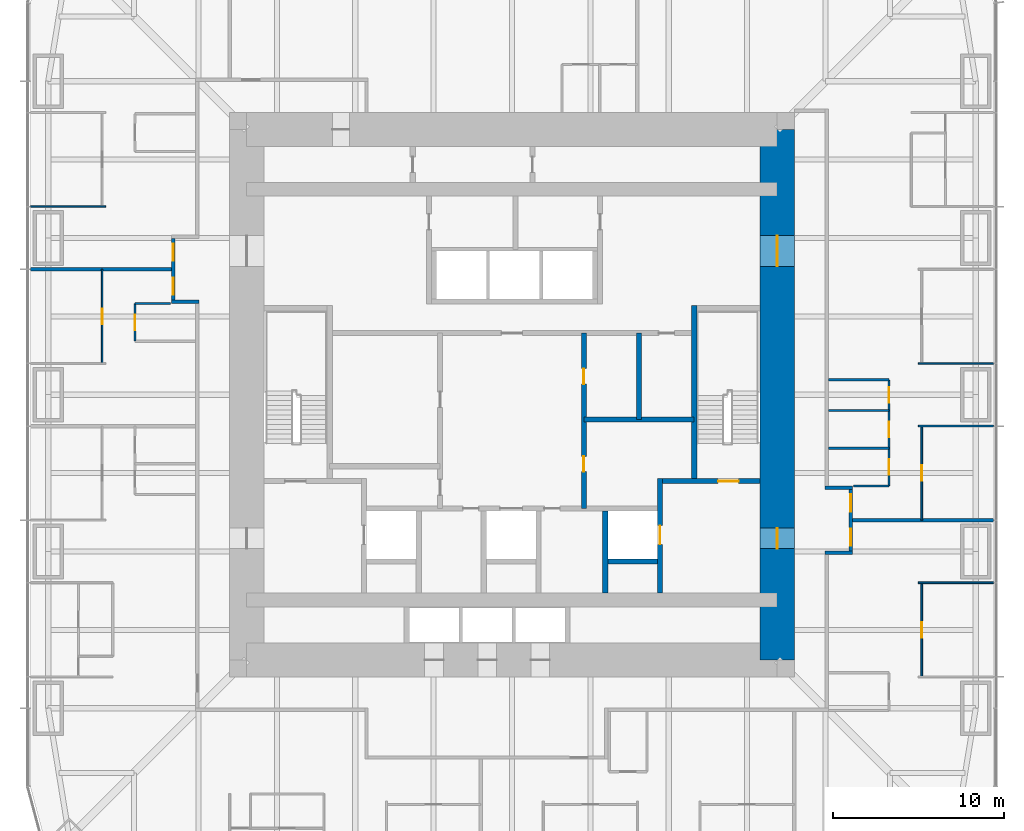
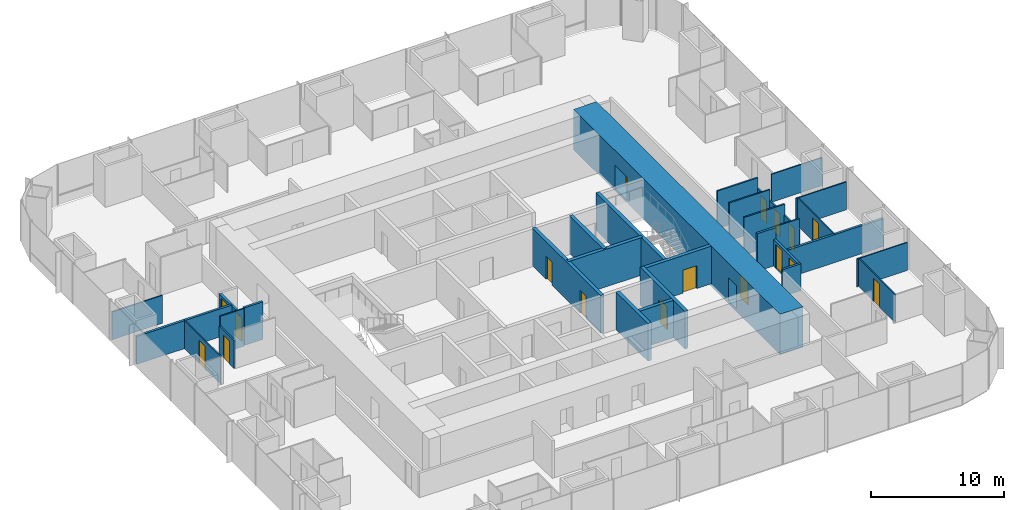
# One storey, part 9 of 12: 30 walls, 17 doors, 17 openings.
"""IFC4 building model written with IfcOpenShell, lengths in metres."""

import ifcopenshell
import ifcopenshell.guid

model = None  # the IFC model being written
_history = None  # IfcOwnerHistory: only IFC2X3 demands one
_inside = {}  # id of a spatial element -> (the spatial element, [elements in it])
_under = {}  # id of a project, library or spatial element -> (it, [spatial elements below it])
_declared = {}  # id of a project -> (the project, [libraries it declares])
_typed = {}  # id of a type object -> (the type object, [elements of that type])
_made_of = {}  # id of a material, layer set ... -> (it, [elements and type objects made of it])


def new_model(schema):
    """Start an empty IFC model of exactly this schema.

    Asked for "IFC4X3", IfcOpenShell would pick the latest addendum, in which some entities
    have other attributes; the version numbers below select the first issue.
    IFC2X3 requires an IfcOwnerHistory on every rooted entity: one is made here for all.
    """
    global model, _history
    if schema == "IFC4X3":
        model = ifcopenshell.file(schema_version=(4, 3, 0, 0))
    else:
        model = ifcopenshell.file(schema=schema)
    _inside.clear()
    _under.clear()
    _declared.clear()
    _typed.clear()
    _made_of.clear()
    _history = None
    if model.schema == "IFC2X3":
        org = make("IfcOrganization", Name="unknown")
        user = make(
            "IfcPersonAndOrganization",
            ThePerson=make("IfcPerson", FamilyName="unknown"),
            TheOrganization=org,
        )
        app = make(
            "IfcApplication",
            ApplicationDeveloper=org,
            Version="unknown",
            ApplicationFullName="unknown",
            ApplicationIdentifier="unknown",
        )
        _history = make(
            "IfcOwnerHistory",
            OwningUser=user,
            OwningApplication=app,
            ChangeAction="ADDED",
            CreationDate=0,
        )
    return model


def make(cls, **values):
    """One entity of the class cls with the attributes given. An attribute that is None is left unset."""
    return model.create_entity(
        cls, **{name: value for name, value in values.items() if value is not None}
    )


def rooted(cls, **values):
    """An entity with a GlobalId (a new one), such as an element, a storey or a relation."""
    return make(cls, GlobalId=ifcopenshell.guid.new(), OwnerHistory=_history, **values)


def si_unit(unit_type, name, prefix=None):
    """IfcSIUnit, for example si_unit("LENGTHUNIT", "METRE", prefix="MILLI")."""
    return make("IfcSIUnit", UnitType=unit_type, Prefix=prefix, Name=name)


def assignment(units):
    """IfcUnitAssignment: the units of a project."""
    return None if units is None else make("IfcUnitAssignment", Units=units)


def point(xyz):
    """IfcCartesianPoint."""
    return None if xyz is None else make("IfcCartesianPoint", Coordinates=xyz)


def direction(xyz):
    """IfcDirection."""
    return None if xyz is None else make("IfcDirection", DirectionRatios=xyz)


def frame(location, z_axis=None, x_axis=None):
    """IfcAxis2Placement3D, a coordinate frame: its origin and axes. An axis left out is left unset."""
    return make(
        "IfcAxis2Placement3D",
        Location=point(location),
        Axis=direction(z_axis),
        RefDirection=direction(x_axis),
    )


def frame_2d(location, x_axis=None):
    """IfcAxis2Placement2D, a coordinate frame in the plane: its origin and x axis."""
    return make(
        "IfcAxis2Placement2D", Location=point(location), RefDirection=direction(x_axis)
    )


def origin():
    """The frame at (0, 0, 0) with its axes left unset."""
    return frame((0.0, 0.0, 0.0))


def place(relative_to, where):
    """IfcLocalPlacement: puts the frame where relative to a parent placement (None: the world)."""
    return make(
        "IfcLocalPlacement", PlacementRelTo=relative_to, RelativePlacement=where
    )


def context(
    kind, dimensions, precision=None, world=None, true_north=None, identifier=None
):
    """IfcGeometricRepresentationContext, for example the 3D "Model" context."""
    return make(
        "IfcGeometricRepresentationContext",
        ContextIdentifier=identifier,
        ContextType=kind,
        CoordinateSpaceDimension=dimensions,
        Precision=precision,
        WorldCoordinateSystem=world,
        TrueNorth=true_north,
    )


def subcontext(parent, identifier, kind, view, scale=None):
    """IfcGeometricRepresentationSubContext, for example "Body" below "Model"."""
    return make(
        "IfcGeometricRepresentationSubContext",
        ContextIdentifier=identifier,
        ContextType=kind,
        ParentContext=parent,
        TargetScale=scale,
        TargetView=view,
    )


def project(units=None, contexts=None):
    """IfcProject with its units and contexts."""
    return rooted(
        "IfcProject",
        Name="project",
        RepresentationContexts=contexts,
        UnitsInContext=assignment(units),
    )


def spatial(cls, under=None, at=None, **own):
    """A site, building, storey or space (cls), placed at a placement, below another one or the project."""
    s = rooted(cls, ObjectPlacement=at, **own)
    if under is not None:
        _under.setdefault(under.id(), (under, []))[1].append(s)
    return s


def profile(cls, at=None, kind="AREA", **sizes):
    """A parametric profile (cls). Its sizes go by their IFC names, for example OverallWidth=200.0."""
    return make(cls, ProfileType=kind, Position=at, **sizes)


def rectangle(**sizes):
    """IfcRectangleProfileDef."""
    return profile("IfcRectangleProfileDef", **sizes)


def extrude(swept, where, along, depth):
    """IfcExtrudedAreaSolid: the profile swept, set in the frame where, extruded along a direction by depth."""
    return make(
        "IfcExtrudedAreaSolid",
        SweptArea=swept,
        Position=where,
        ExtrudedDirection=direction(along),
        Depth=depth,
    )


def shape(context_of_items, identifier, shape_type, items):
    """IfcShapeRepresentation: the items that make up one representation, for example the "Body"."""
    return make(
        "IfcShapeRepresentation",
        ContextOfItems=context_of_items,
        RepresentationIdentifier=identifier,
        RepresentationType=shape_type,
        Items=items,
    )


def material(Name=None, Category=None):
    """IfcMaterial."""
    return make("IfcMaterial", Name=Name, Category=Category)


def layer(
    of_material, thickness, ventilated=None, Name=None, Category=None, Priority=None
):
    """IfcMaterialLayer: one layer of a wall or slab, of a material (None: an air gap)."""
    return make(
        "IfcMaterialLayer",
        Material=of_material,
        LayerThickness=thickness,
        IsVentilated=ventilated,
        Name=Name,
        Category=Category,
        Priority=Priority,
    )


def layer_set(layers, Name=None):
    """IfcMaterialLayerSet."""
    return make("IfcMaterialLayerSet", MaterialLayers=layers, LayerSetName=Name)


def made_of(thing, what):
    """Note that an element or type object is made of a material, layer set ...; save() writes the relation."""
    if what is not None:
        _made_of.setdefault(what.id(), (what, []))[1].append(thing)
    return thing


def type_object(cls, material=None, **own):
    """A type object (cls), such as IfcWallType, which elements share."""
    return made_of(rooted(cls, **own), material)


def element(
    cls,
    number,
    at=None,
    inside=None,
    cuts=None,
    type_object=None,
    material=None,
    context=None,
    identifier="Body",
    shape_type=None,
    held_by="IfcProductDefinitionShape",
    body=None,
    shapes=None,
    **own,
):
    """One element of the class cls, such as IfcWall. Its Tag is "e" and its number.

    at: its placement. inside: the storey or other place that contains it. cuts: it is an
    opening in that element (IfcRelVoidsElement). A single representation is given by context,
    identifier, shape_type and body (its items); several are given by shapes. held_by: the class
    of the entity that holds the representations. save() writes the other relations.
    """
    e = rooted(cls, Tag="e%d" % number, ObjectPlacement=at, **own)
    if body is not None:
        shapes = [shape(context, identifier, shape_type, body)]
    if shapes is not None:
        e.Representation = make(held_by, Representations=shapes)
    if inside is not None:
        _inside.setdefault(inside.id(), (inside, []))[1].append(e)
    if cuts is not None:
        rooted(
            "IfcRelVoidsElement", RelatingBuildingElement=cuts, RelatedOpeningElement=e
        )
    if type_object is not None:
        _typed.setdefault(type_object.id(), (type_object, []))[1].append(e)
    return made_of(e, material)


def fill(opening, filler):
    """IfcRelFillsElement: the door or window that sits in an opening."""
    return rooted(
        "IfcRelFillsElement",
        RelatingOpeningElement=opening,
        RelatedBuildingElement=filler,
    )


def aggregate(whole, parts):
    """IfcRelAggregates: a whole, such as a stair, and the parts it consists of."""
    return rooted("IfcRelAggregates", RelatingObject=whole, RelatedObjects=parts)


def save(model, path):
    """Write the relations noted so far, then the file.

    IfcRelAggregates (storeys below a building ...), IfcRelContainedInSpatialStructure (elements
    in a storey), IfcRelDefinesByType, IfcRelAssociatesMaterial and IfcRelDeclares: one each for
    every whole, place, type object, material and project.
    """
    for whole, parts in _under.values():
        aggregate(whole, parts)
    for where, things in _inside.values():
        rooted(
            "IfcRelContainedInSpatialStructure",
            RelatedElements=things,
            RelatingStructure=where,
        )
    for kind, things in _typed.values():
        rooted("IfcRelDefinesByType", RelatedObjects=things, RelatingType=kind)
    for what, things in _made_of.values():
        rooted("IfcRelAssociatesMaterial", RelatedObjects=things, RelatingMaterial=what)
    for by, libraries in _declared.values():
        rooted("IfcRelDeclares", RelatingContext=by, RelatedDefinitions=libraries)
    model.write(path)


model = new_model("IFC4")

# Units and contexts
model_context = context("Model", 3, precision=1e-05, world=origin(), true_north=direction((0.0, 1.0)))
body_context = subcontext(model_context, "Body", "Model", "MODEL_VIEW")
ifc_project = project(units=[si_unit("LENGTHUNIT", "METRE"), si_unit("AREAUNIT", "SQUARE_METRE"), si_unit("VOLUMEUNIT", "CUBIC_METRE"), si_unit("PLANEANGLEUNIT", "RADIAN"), si_unit("MASSUNIT", "GRAM", prefix="KILO")], contexts=[model_context])

# Site, building, storey
site_placement = place(None, origin())
site = spatial("IfcSite", under=ifc_project, at=site_placement, CompositionType="ELEMENT")
building_placement = place(site_placement, origin())
building = spatial("IfcBuilding", under=site, at=building_placement, Name="Khuree Lantern Residences", CompositionType="ELEMENT")
storey_placement = place(building_placement, frame((0.0, 0.0, 182.25)))
storey = spatial("IfcBuildingStorey", under=building, at=storey_placement, Name="L46", CompositionType="ELEMENT", Elevation=182.25)

# Wall, openings, doors
ifc_material_1 = material(Name="Moisture-resistant gypsum board on steel studs", Category="steel")
ifc_layer_1 = layer(ifc_material_1, 0.125)
ifc_layer_set_1 = layer_set([ifc_layer_1], Name="BATHROOM WALL BTW125")
wall_type_1 = type_object("IfcWallType", Name="BATHROOM WALL BTW125", PredefinedType="PARTITIONING", material=ifc_layer_set_1)
wall_1_placement = place(storey_placement, frame((22.02978515625, -5.327880859375, 0.0), z_axis=(0.0, 0.0, 1.0), x_axis=(0.0, 1.0, 0.0)))
wall_1 = element("IfcWall", 1, at=wall_1_placement, inside=storey, type_object=wall_type_1, Name="L46 BATHROOM WALL 01", PredefinedType="PARTITIONING", context=body_context, shape_type="SweptSolid", body=[
    extrude(rectangle(XDim=6.199951171875, YDim=0.125, at=frame_2d((3.10009765625, 0.0))), origin(), (0.0, 0.0, 1.0), 2.449951171875),
])
opening_1_placement = place(wall_1_placement, frame((0.64990234375, 0.0, 0.0)))
opening_1 = element("IfcOpeningElement", 2, at=opening_1_placement, cuts=wall_1, Name="Opening 46-031", PredefinedType="OPENING", context=body_context, shape_type="SweptSolid", body=[
    extrude(rectangle(XDim=0.89990234375, YDim=2.10009765625, at=frame_2d((0.449951171875, 1.050048828125))), frame((0.0, 0.072509765625, 0.0), z_axis=(0.0, -1.0, 0.0), x_axis=(1.0, 0.0, 0.0)), (0.0, 0.0, 1.0), 0.14501953125),
])
opening_2_placement = place(wall_1_placement, frame((2.85009765625, 0.0, 0.0)))
opening_2 = element("IfcOpeningElement", 3, at=opening_2_placement, cuts=wall_1, Name="Opening 46-032", PredefinedType="OPENING", context=body_context, shape_type="SweptSolid", body=[
    extrude(rectangle(XDim=0.89990234375, YDim=2.10009765625, at=frame_2d((0.449951171875, 1.050048828125))), frame((0.0, 0.072509765625, 0.0), z_axis=(0.0, -1.0, 0.0), x_axis=(1.0, 0.0, 0.0)), (0.0, 0.0, 1.0), 0.14501953125),
])
opening_3_placement = place(wall_1_placement, frame((4.85009765625, 0.0, 0.0)))
opening_3 = element("IfcOpeningElement", 4, at=opening_3_placement, cuts=wall_1, Name="Opening 46-033", PredefinedType="OPENING", context=body_context, shape_type="SweptSolid", body=[
    extrude(rectangle(XDim=0.89990234375, YDim=2.10009765625, at=frame_2d((0.449951171875, 1.050048828125))), frame((0.0, 0.072509765625, 0.0), z_axis=(0.0, -1.0, 0.0), x_axis=(1.0, 0.0, 0.0)), (0.0, 0.0, 1.0), 0.14501953125),
])
ifc_material_2 = material(Name="Timber door leaf in hardwood frame", Category="wood")
door_type_1 = type_object("IfcDoorType", Name="BATHROOM DOOR 900X2100", OperationType="SINGLE_SWING_LEFT", PredefinedType="DOOR", material=ifc_material_2)
door_1_placement = place(opening_1_placement, origin())
door_1 = element("IfcDoor", 5, at=door_1_placement, inside=storey, type_object=door_type_1, Name="Bathroom door 46-031", OperationType="SINGLE_SWING_LEFT", OverallHeight=2.10009765625, OverallWidth=0.89990234375, PredefinedType="DOOR", context=body_context, shape_type="SweptSolid", body=[
    extrude(rectangle(XDim=0.89990234375, YDim=2.10009765625, at=frame_2d((0.449951171875, 1.050048828125))), frame((0.0, 0.02490234375, 0.0), z_axis=(0.0, -1.0, 0.0), x_axis=(1.0, 0.0, 0.0)), (0.0, 0.0, 1.0), 0.050048828125),
])
fill(opening_1, door_1)
door_2_placement = place(opening_2_placement, origin())
door_2 = element("IfcDoor", 6, at=door_2_placement, inside=storey, type_object=door_type_1, Name="Bathroom door 46-032", OperationType="SINGLE_SWING_LEFT", OverallHeight=2.10009765625, OverallWidth=0.89990234375, PredefinedType="DOOR", context=body_context, shape_type="SweptSolid", body=[
    extrude(rectangle(XDim=0.89990234375, YDim=2.10009765625, at=frame_2d((0.449951171875, 1.050048828125))), frame((0.0, 0.02490234375, 0.0), z_axis=(0.0, -1.0, 0.0), x_axis=(1.0, 0.0, 0.0)), (0.0, 0.0, 1.0), 0.050048828125),
])
fill(opening_2, door_2)
door_type_2 = type_object("IfcDoorType", Name="DOOR 900X2100", OperationType="SINGLE_SWING_LEFT", PredefinedType="DOOR", material=ifc_material_2)
door_3_placement = place(opening_3_placement, origin())
door_3 = element("IfcDoor", 7, at=door_3_placement, inside=storey, type_object=door_type_2, Name="Store door 46-033", OperationType="SINGLE_SWING_LEFT", OverallHeight=2.10009765625, OverallWidth=0.89990234375, PredefinedType="DOOR", context=body_context, shape_type="SweptSolid", body=[
    extrude(rectangle(XDim=0.89990234375, YDim=2.10009765625, at=frame_2d((0.449951171875, 1.050048828125))), frame((0.0, 0.02490234375, 0.0), z_axis=(0.0, -1.0, 0.0), x_axis=(1.0, 0.0, 0.0)), (0.0, 0.0, 1.0), 0.050048828125),
])
fill(opening_3, door_3)

# Walls
wall_2_placement = place(storey_placement, frame((19.969970703125, -5.327880859375, 0.0), z_axis=(0.0, 0.0, 1.0), x_axis=(1.0, 0.0, 0.0)))
element("IfcWall", 8, at=wall_2_placement, inside=storey, type_object=wall_type_1, Name="L46 BATHROOM WALL 01", PredefinedType="PARTITIONING", context=body_context, shape_type="SweptSolid", body=[
    extrude(rectangle(XDim=2.059814453125, YDim=0.125, at=frame_2d((1.02978515625, 0.0))), origin(), (0.0, 0.0, 1.0), 3.449951171875),
])
for number, where, z_axis, x_axis, name in (
    (9, (18.5, -3.1279296875, 0.0), (0.0, 0.0, 1.0), (1.0, 0.0, 0.0), "L46 BATHROOM WALL 01"),
    (10, (18.5, -0.927978515625, 0.0), (0.0, 0.0, 1.0), (1.0, 0.0, 0.0), "L46 BATHROOM WALL 01"),
    (11, (18.5, 0.8720703125, 0.0), (0.0, 0.0, 1.0), (1.0, 0.0, 0.0), "L46 BATHROOM WALL 01"),
):
    element("IfcWall", number, at=place(storey_placement, frame(where, z_axis=z_axis, x_axis=x_axis)), inside=storey, type_object=wall_type_1, Name=name, PredefinedType="PARTITIONING", context=body_context, shape_type="SweptSolid", body=[
        extrude(rectangle(XDim=3.52978515625, YDim=0.125, at=frame_2d((1.764892578125, 0.0))), origin(), (0.0, 0.0, 1.0), 3.449951171875),
    ])

# Wall, opening, door
wall_3_placement = place(storey_placement, frame((-22.02978515625, 5.327880859375, 0.0), z_axis=(0.0, 0.0, 1.0), x_axis=(0.0, -1.0, 0.0)))
wall_3 = element("IfcWall", 12, at=wall_3_placement, inside=storey, type_object=wall_type_1, Name="L46 BATHROOM WALL 04", PredefinedType="PARTITIONING", context=body_context, shape_type="SweptSolid", body=[
    extrude(rectangle(XDim=2.199951171875, YDim=0.125, at=frame_2d((1.10009765625, 0.0))), origin(), (0.0, 0.0, 1.0), 2.56005859375),
])
opening_4_placement = place(wall_3_placement, frame((0.64990234375, 0.0, 0.0)))
opening_4 = element("IfcOpeningElement", 13, at=opening_4_placement, cuts=wall_3, Name="Opening 46-046", PredefinedType="OPENING", context=body_context, shape_type="SweptSolid", body=[
    extrude(rectangle(XDim=0.89990234375, YDim=2.10009765625, at=frame_2d((0.449951171875, 1.050048828125))), frame((0.0, 0.072509765625, 0.0), z_axis=(0.0, -1.0, 0.0), x_axis=(1.0, 0.0, 0.0)), (0.0, 0.0, 1.0), 0.14501953125),
])
door_4_placement = place(opening_4_placement, origin())
door_4 = element("IfcDoor", 14, at=door_4_placement, inside=storey, type_object=door_type_1, Name="Bathroom door 46-046", OperationType="SINGLE_SWING_LEFT", OverallHeight=2.10009765625, OverallWidth=0.89990234375, PredefinedType="DOOR", context=body_context, shape_type="SweptSolid", body=[
    extrude(rectangle(XDim=0.89990234375, YDim=2.10009765625, at=frame_2d((0.449951171875, 1.050048828125))), frame((0.0, 0.02490234375, 0.0), z_axis=(0.0, -1.0, 0.0), x_axis=(1.0, 0.0, 0.0)), (0.0, 0.0, 1.0), 0.050048828125),
])
fill(opening_4, door_4)

# Wall
wall_4_placement = place(storey_placement, frame((-19.969970703125, 5.327880859375, 0.0), z_axis=(0.0, 0.0, 1.0), x_axis=(-1.0, 0.0, 0.0)))
element("IfcWall", 15, at=wall_4_placement, inside=storey, type_object=wall_type_1, Name="L46 BATHROOM WALL 04", PredefinedType="PARTITIONING", context=body_context, shape_type="SweptSolid", body=[
    extrude(rectangle(XDim=2.059814453125, YDim=0.125, at=frame_2d((1.02978515625, 0.0))), origin(), (0.0, 0.0, 1.0), 3.449951171875),
])

# Wall, opening, door
ifc_material_3 = material(Name="Dense concrete blockwork", Category="masonry")
ifc_layer_2 = layer(ifc_material_3, 0.300048828125)
ifc_layer_set_2 = layer_set([ifc_layer_2], Name="CORE PARTITION WALL CPW300 EI 120")
wall_type_2 = type_object("IfcWallType", Name="CORE PARTITION WALL CPW300 EI 120", PredefinedType="PARTITIONING", material=ifc_layer_set_2)
wall_5_placement = place(storey_placement, frame((8.64990234375, -11.60009765625, 0.0), z_axis=(0.0, 0.0, 1.0), x_axis=(0.0, 1.0, 0.0)))
wall_5 = element("IfcWall", 16, at=wall_5_placement, inside=storey, type_object=wall_type_2, Name="L46 CORE WALL FL2E", PredefinedType="PARTITIONING", context=body_context, shape_type="SweptSolid", body=[
    extrude(rectangle(XDim=6.7001953125, YDim=0.300048828125, at=frame_2d((3.35009765625, 0.0))), origin(), (0.0, 0.0, 1.0), 3.449951171875),
])
opening_5_placement = place(wall_5_placement, frame((2.85009765625, 0.0, 0.0)))
opening_5 = element("IfcOpeningElement", 17, at=opening_5_placement, cuts=wall_5, Name="Opening 46-008", PredefinedType="OPENING", context=body_context, shape_type="SweptSolid", body=[
    extrude(rectangle(XDim=1.10009765625, YDim=2.10009765625, at=frame_2d((0.550048828125, 1.050048828125))), frame((0.0, 0.16015625, 0.0), z_axis=(0.0, -1.0, 0.0), x_axis=(1.0, 0.0, 0.0)), (0.0, 0.0, 1.0), 0.320068359375),
])
ifc_material_4 = material(Name="Stainless steel lift landing door", Category="steel")
door_type_3 = type_object("IfcDoorType", Name="LIFT LANDING DOOR 1100X2100 E 120", OperationType="DOUBLE_DOOR_SLIDING", PredefinedType="DOOR", material=ifc_material_4)
door_5_placement = place(opening_5_placement, origin())
door_5 = element("IfcDoor", 18, at=door_5_placement, inside=storey, type_object=door_type_3, Name="Landing door FL2 46-008", OperationType="DOUBLE_DOOR_SLIDING", OverallHeight=2.10009765625, OverallWidth=1.10009765625, PredefinedType="DOOR", context=body_context, shape_type="SweptSolid", body=[
    extrude(rectangle(XDim=1.10009765625, YDim=2.10009765625, at=frame_2d((0.550048828125, 1.050048828125))), frame((0.0, 0.02490234375, 0.0), z_axis=(0.0, -1.0, 0.0), x_axis=(1.0, 0.0, 0.0)), (0.0, 0.0, 1.0), 0.050048828125),
])
fill(opening_5, door_5)

# Walls
wall_6_placement = place(storey_placement, frame((5.449951171875, -11.60009765625, 0.0), z_axis=(0.0, 0.0, 1.0), x_axis=(0.0, 1.0, 0.0)))
element("IfcWall", 19, at=wall_6_placement, inside=storey, type_object=wall_type_2, Name="L46 CORE WALL FL2W", PredefinedType="PARTITIONING", context=body_context, shape_type="SweptSolid", body=[
    extrude(rectangle(XDim=4.800048828125, YDim=0.300048828125, at=frame_2d((2.39990234375, 0.0))), origin(), (0.0, 0.0, 1.0), 3.449951171875),
])
wall_7_placement = place(storey_placement, frame((5.60009765625, -9.75, 0.0), z_axis=(0.0, 0.0, 1.0), x_axis=(1.0, 0.0, 0.0)))
element("IfcWall", 20, at=wall_7_placement, inside=storey, type_object=wall_type_2, Name="L46 CORE WALL FL2S", PredefinedType="PARTITIONING", context=body_context, shape_type="SweptSolid", body=[
    extrude(rectangle(XDim=2.89990234375, YDim=0.300048828125, at=frame_2d((1.449951171875, 0.0))), origin(), (0.0, 0.0, 1.0), 3.449951171875),
])

# Wall, openings, doors
wall_8_placement = place(storey_placement, frame((4.199951171875, -6.64990234375, 0.0), z_axis=(0.0, 0.0, 1.0), x_axis=(0.0, 1.0, 0.0)))
wall_8 = element("IfcWall", 21, at=wall_8_placement, inside=storey, type_object=wall_type_2, Name="L46 CORE WALL SVE", PredefinedType="PARTITIONING", context=body_context, shape_type="SweptSolid", body=[
    extrude(rectangle(XDim=10.25, YDim=0.300048828125, at=frame_2d((5.125, 0.0))), origin(), (0.0, 0.0, 1.0), 3.449951171875),
])
opening_6_placement = place(wall_8_placement, frame((2.14990234375, 0.0, 0.0)))
opening_6 = element("IfcOpeningElement", 22, at=opening_6_placement, cuts=wall_8, Name="Opening 46-018", PredefinedType="OPENING", context=body_context, shape_type="SweptSolid", body=[
    extrude(rectangle(XDim=0.89990234375, YDim=2.10009765625, at=frame_2d((0.449951171875, 1.050048828125))), frame((0.0, 0.16015625, 0.0), z_axis=(0.0, -1.0, 0.0), x_axis=(1.0, 0.0, 0.0)), (0.0, 0.0, 1.0), 0.320068359375),
])
opening_7_placement = place(wall_8_placement, frame((7.27490234375, 0.0, 0.0)))
opening_7 = element("IfcOpeningElement", 23, at=opening_7_placement, cuts=wall_8, Name="Opening 46-019", PredefinedType="OPENING", context=body_context, shape_type="SweptSolid", body=[
    extrude(rectangle(XDim=0.89990234375, YDim=2.10009765625, at=frame_2d((0.449951171875, 1.050048828125))), frame((0.0, 0.16015625, 0.0), z_axis=(0.0, -1.0, 0.0), x_axis=(1.0, 0.0, 0.0)), (0.0, 0.0, 1.0), 0.320068359375),
])
door_6_placement = place(opening_6_placement, origin())
door_6 = element("IfcDoor", 24, at=door_6_placement, inside=storey, type_object=door_type_2, Name="Residents' store door 46-018", OperationType="SINGLE_SWING_LEFT", OverallHeight=2.10009765625, OverallWidth=0.89990234375, PredefinedType="DOOR", context=body_context, shape_type="SweptSolid", body=[
    extrude(rectangle(XDim=0.89990234375, YDim=2.10009765625, at=frame_2d((0.449951171875, 1.050048828125))), frame((0.0, 0.02490234375, 0.0), z_axis=(0.0, -1.0, 0.0), x_axis=(1.0, 0.0, 0.0)), (0.0, 0.0, 1.0), 0.050048828125),
])
fill(opening_6, door_6)
door_type_4 = type_object("IfcDoorType", Name="DOOR 900X2100 RIGHT HAND", OperationType="SINGLE_SWING_RIGHT", PredefinedType="DOOR", material=ifc_material_2)
door_7_placement = place(opening_7_placement, origin())
door_7 = element("IfcDoor", 25, at=door_7_placement, inside=storey, type_object=door_type_4, Name="Building management room door 46-019", OperationType="SINGLE_SWING_RIGHT", OverallHeight=2.10009765625, OverallWidth=0.89990234375, PredefinedType="DOOR", context=body_context, shape_type="SweptSolid", body=[
    extrude(rectangle(XDim=0.89990234375, YDim=2.10009765625, at=frame_2d((0.449951171875, 1.050048828125))), frame((0.0, 0.02490234375, 0.0), z_axis=(0.0, -1.0, 0.0), x_axis=(1.0, 0.0, 0.0)), (0.0, 0.0, 1.0), 0.050048828125),
])
fill(opening_7, door_7)

# Walls
wall_9_placement = place(storey_placement, frame((10.64990234375, -1.449951171875, 0.0), z_axis=(0.0, 0.0, 1.0), x_axis=(-1.0, 0.0, 0.0)))
element("IfcWall", 26, at=wall_9_placement, inside=storey, type_object=wall_type_2, Name="L46 CORE WALL EX", PredefinedType="PARTITIONING", context=body_context, shape_type="SweptSolid", body=[
    extrude(rectangle(XDim=6.449951171875, YDim=0.300048828125, at=frame_2d((3.22509765625, 0.0))), origin(), (0.0, 0.0, 1.0), 3.449951171875),
])
wall_10_placement = place(storey_placement, frame((7.425048828125, -1.449951171875, 0.0), z_axis=(0.0, 0.0, 1.0), x_axis=(0.0, 1.0, 0.0)))
element("IfcWall", 27, at=wall_10_placement, inside=storey, type_object=wall_type_2, Name="L46 CORE WALL EV", PredefinedType="PARTITIONING", context=body_context, shape_type="SweptSolid", body=[
    extrude(rectangle(XDim=5.050048828125, YDim=0.300048828125, at=frame_2d((2.52490234375, 0.0))), origin(), (0.0, 0.0, 1.0), 3.449951171875),
])
ifc_material_5 = material(Name="Gypsum board on steel studs", Category="steel")
ifc_layer_3 = layer(ifc_material_5, 0.199951171875)
ifc_layer_set_3 = layer_set([ifc_layer_3], Name="CORRIDOR WALL CRW200 EI 60")
wall_type_3 = type_object("IfcWallType", Name="CORRIDOR WALL CRW200 EI 60", PredefinedType="PARTITIONING", material=ifc_layer_set_3)
wall_11_placement = place(storey_placement, frame((18.300048828125, -9.22802734375, 0.0), z_axis=(0.0, 0.0, 1.0), x_axis=(1.0, 0.0, 0.0)))
element("IfcWall", 28, at=wall_11_placement, inside=storey, type_object=wall_type_3, Name="L46 CORRIDOR ALCOVE WALL EAST", PredefinedType="PARTITIONING", context=body_context, shape_type="SweptSolid", body=[
    extrude(rectangle(XDim=1.599853515625, YDim=0.199951171875, at=frame_2d((0.7998046875, 0.0))), origin(), (0.0, 0.0, 1.0), 2.449951171875),
])
wall_12_placement = place(storey_placement, frame((18.300048828125, -5.427978515625, 0.0), z_axis=(0.0, 0.0, 1.0), x_axis=(1.0, 0.0, 0.0)))
element("IfcWall", 29, at=wall_12_placement, inside=storey, type_object=wall_type_3, Name="L46 CORRIDOR ALCOVE WALL EAST", PredefinedType="PARTITIONING", context=body_context, shape_type="SweptSolid", body=[
    extrude(rectangle(XDim=1.599853515625, YDim=0.199951171875, at=frame_2d((0.7998046875, 0.0))), origin(), (0.0, 0.0, 1.0), 3.449951171875),
])

# Wall, openings, doors
wall_13_placement = place(storey_placement, frame((19.800048828125, -9.1279296875, 0.0), z_axis=(0.0, 0.0, 1.0), x_axis=(0.0, 1.0, 0.0)))
wall_13 = element("IfcWall", 30, at=wall_13_placement, inside=storey, type_object=wall_type_3, Name="L46 CORRIDOR ALCOVE WALL EAST", PredefinedType="PARTITIONING", context=body_context, shape_type="SweptSolid", body=[
    extrude(rectangle(XDim=3.599853515625, YDim=0.199951171875, at=frame_2d((1.7998046875, 0.0))), origin(), (0.0, 0.0, 1.0), 2.449951171875),
])
opening_8_placement = place(wall_13_placement, frame((2.300048828125, 0.0, 0.0)))
opening_8 = element("IfcOpeningElement", 31, at=opening_8_placement, cuts=wall_13, Name="Opening 46-034", PredefinedType="OPENING", context=body_context, shape_type="SweptSolid", body=[
    extrude(rectangle(XDim=1.0, YDim=2.199951171875, at=frame_2d((0.5, 1.10009765625))), frame((0.0, 0.10986328125, 0.0), z_axis=(0.0, -1.0, 0.0), x_axis=(1.0, 0.0, 0.0)), (0.0, 0.0, 1.0), 0.219970703125),
])
opening_9_placement = place(wall_13_placement, frame((0.300048828125, 0.0, 0.0)))
opening_9 = element("IfcOpeningElement", 32, at=opening_9_placement, cuts=wall_13, Name="Opening 46-063", PredefinedType="OPENING", context=body_context, shape_type="SweptSolid", body=[
    extrude(rectangle(XDim=1.0, YDim=2.199951171875, at=frame_2d((0.5, 1.10009765625))), frame((0.0, 0.10986328125, 0.0), z_axis=(0.0, -1.0, 0.0), x_axis=(1.0, 0.0, 0.0)), (0.0, 0.0, 1.0), 0.219970703125),
])
door_type_5 = type_object("IfcDoorType", Name="APARTMENT ENTRANCE DOOR 1000X2200 EI 30S", OperationType="SINGLE_SWING_LEFT", PredefinedType="DOOR", material=ifc_material_2)
door_8_placement = place(opening_9_placement, origin())
door_8 = element("IfcDoor", 33, at=door_8_placement, inside=storey, type_object=door_type_5, Name="Apartment 07 entrance door 46-063", OperationType="SINGLE_SWING_LEFT", OverallHeight=2.199951171875, OverallWidth=1.0, PredefinedType="DOOR", context=body_context, shape_type="SweptSolid", body=[
    extrude(rectangle(XDim=1.0, YDim=2.199951171875, at=frame_2d((0.5, 1.10009765625))), frame((0.0, 0.02490234375, 0.0), z_axis=(0.0, -1.0, 0.0), x_axis=(1.0, 0.0, 0.0)), (0.0, 0.0, 1.0), 0.050048828125),
])
fill(opening_9, door_8)
door_type_6 = type_object("IfcDoorType", Name="APARTMENT ENTRANCE DOOR 1000X2200 EI 30S RIGHT HAND", OperationType="SINGLE_SWING_RIGHT", PredefinedType="DOOR", material=ifc_material_2)
door_9_placement = place(opening_8_placement, origin())
door_9 = element("IfcDoor", 34, at=door_9_placement, inside=storey, type_object=door_type_6, Name="Apartment 01 entrance door 46-034", OperationType="SINGLE_SWING_RIGHT", OverallHeight=2.199951171875, OverallWidth=1.0, PredefinedType="DOOR", context=body_context, shape_type="SweptSolid", body=[
    extrude(rectangle(XDim=1.0, YDim=2.199951171875, at=frame_2d((0.5, 1.10009765625))), frame((0.0, 0.02490234375, 0.0), z_axis=(0.0, -1.0, 0.0), x_axis=(1.0, 0.0, 0.0)), (0.0, 0.0, 1.0), 0.050048828125),
])
fill(opening_8, door_9)

# Wall
wall_14_placement = place(storey_placement, frame((-18.300048828125, 5.427978515625, 0.0), z_axis=(0.0, 0.0, 1.0), x_axis=(-1.0, 0.0, 0.0)))
element("IfcWall", 35, at=wall_14_placement, inside=storey, type_object=wall_type_3, Name="L46 CORRIDOR ALCOVE WALL WEST", PredefinedType="PARTITIONING", context=body_context, shape_type="SweptSolid", body=[
    extrude(rectangle(XDim=1.599853515625, YDim=0.199951171875, at=frame_2d((0.7998046875, 0.0))), origin(), (0.0, 0.0, 1.0), 3.449951171875),
])

# Wall, openings, doors
wall_15_placement = place(storey_placement, frame((-19.800048828125, 9.1279296875, 0.0), z_axis=(0.0, 0.0, 1.0), x_axis=(0.0, -1.0, 0.0)))
wall_15 = element("IfcWall", 36, at=wall_15_placement, inside=storey, type_object=wall_type_3, Name="L46 CORRIDOR ALCOVE WALL WEST", PredefinedType="PARTITIONING", context=body_context, shape_type="SweptSolid", body=[
    extrude(rectangle(XDim=3.599853515625, YDim=0.199951171875, at=frame_2d((1.7998046875, 0.0))), origin(), (0.0, 0.0, 1.0), 2.449951171875),
])
opening_10_placement = place(wall_15_placement, frame((0.300048828125, 0.0, 0.0)))
opening_10 = element("IfcOpeningElement", 37, at=opening_10_placement, cuts=wall_15, Name="Opening 46-044", PredefinedType="OPENING", context=body_context, shape_type="SweptSolid", body=[
    extrude(rectangle(XDim=1.0, YDim=2.199951171875, at=frame_2d((0.5, 1.10009765625))), frame((0.0, 0.10986328125, 0.0), z_axis=(0.0, -1.0, 0.0), x_axis=(1.0, 0.0, 0.0)), (0.0, 0.0, 1.0), 0.219970703125),
])
opening_11_placement = place(wall_15_placement, frame((2.300048828125, 0.0, 0.0)))
opening_11 = element("IfcOpeningElement", 38, at=opening_11_placement, cuts=wall_15, Name="Opening 46-047", PredefinedType="OPENING", context=body_context, shape_type="SweptSolid", body=[
    extrude(rectangle(XDim=1.0, YDim=2.199951171875, at=frame_2d((0.5, 1.10009765625))), frame((0.0, 0.10986328125, 0.0), z_axis=(0.0, -1.0, 0.0), x_axis=(1.0, 0.0, 0.0)), (0.0, 0.0, 1.0), 0.219970703125),
])
door_10_placement = place(opening_10_placement, origin())
door_10 = element("IfcDoor", 39, at=door_10_placement, inside=storey, type_object=door_type_5, Name="Apartment 03 entrance door 46-044", OperationType="SINGLE_SWING_LEFT", OverallHeight=2.199951171875, OverallWidth=1.0, PredefinedType="DOOR", context=body_context, shape_type="SweptSolid", body=[
    extrude(rectangle(XDim=1.0, YDim=2.199951171875, at=frame_2d((0.5, 1.10009765625))), frame((0.0, 0.02490234375, 0.0), z_axis=(0.0, -1.0, 0.0), x_axis=(1.0, 0.0, 0.0)), (0.0, 0.0, 1.0), 0.050048828125),
])
fill(opening_10, door_10)
door_11_placement = place(opening_11_placement, origin())
door_11 = element("IfcDoor", 40, at=door_11_placement, inside=storey, type_object=door_type_6, Name="Apartment 04 entrance door 46-047", OperationType="SINGLE_SWING_RIGHT", OverallHeight=2.199951171875, OverallWidth=1.0, PredefinedType="DOOR", context=body_context, shape_type="SweptSolid", body=[
    extrude(rectangle(XDim=1.0, YDim=2.199951171875, at=frame_2d((0.5, 1.10009765625))), frame((0.0, 0.02490234375, 0.0), z_axis=(0.0, -1.0, 0.0), x_axis=(1.0, 0.0, 0.0)), (0.0, 0.0, 1.0), 0.050048828125),
])
fill(opening_11, door_11)

ifc_material_6 = material(Name="Concrete C70/85", Category="concrete")
ifc_layer_4 = layer(ifc_material_6, 2.0)
ifc_layer_set_4 = layer_set([ifc_layer_4], Name="CW2000-C70 CORE WALL C70 2000")
wall_type_4 = type_object("IfcWallType", Name="CW2000-C70 CORE WALL C70 2000", PredefinedType="SHEAR", material=ifc_layer_set_4)
wall_16_placement = place(storey_placement, frame((15.5, -15.5, -0.25), z_axis=(0.0, 0.0, 1.0), x_axis=(0.0, 1.0, 0.0)))
wall_16 = element("IfcWall", 41, at=wall_16_placement, inside=storey, type_object=wall_type_4, Name="Core wall E", PredefinedType="SHEAR", context=body_context, shape_type="SweptSolid", body=[
    extrude(rectangle(XDim=31.0, YDim=2.0, at=frame_2d((15.5, 0.0))), origin(), (0.0, 0.0, 1.0), 3.699951171875),
])
opening_12_placement = place(wall_16_placement, frame((6.5, 0.0, 0.25)))
opening_12 = element("IfcOpeningElement", 42, at=opening_12_placement, cuts=wall_16, Name="Opening 46-005", PredefinedType="OPENING", context=body_context, shape_type="SweptSolid", body=[
    extrude(rectangle(XDim=1.199951171875, YDim=2.10009765625, at=frame_2d((0.60009765625, 1.050048828125))), frame((0.0, 1.010009765625, 0.0), z_axis=(0.0, -1.0, 0.0), x_axis=(1.0, 0.0, 0.0)), (0.0, 0.0, 1.0), 2.02001953125),
])
opening_13_placement = place(wall_16_placement, frame((23.0, 0.0, 0.25)))
opening_13 = element("IfcOpeningElement", 43, at=opening_13_placement, cuts=wall_16, Name="Opening 46-006", PredefinedType="OPENING", context=body_context, shape_type="SweptSolid", body=[
    extrude(rectangle(XDim=1.800048828125, YDim=2.10009765625, at=frame_2d((0.89990234375, 1.050048828125))), frame((0.0, 1.010009765625, 0.0), z_axis=(0.0, -1.0, 0.0), x_axis=(1.0, 0.0, 0.0)), (0.0, 0.0, 1.0), 2.02001953125),
])
ifc_material_7 = material(Name="Steel door leaf in steel frame", Category="steel")
door_type_7 = type_object("IfcDoorType", Name="LOBBY DOOR 1200X2100 EI 120", OperationType="SINGLE_SWING_LEFT", PredefinedType="DOOR", material=ifc_material_7)
door_12_placement = place(opening_12_placement, origin())
door_12 = element("IfcDoor", 44, at=door_12_placement, inside=storey, type_object=door_type_7, Name="Firefighting lobby door 46-005", OperationType="SINGLE_SWING_LEFT", OverallHeight=2.10009765625, OverallWidth=1.199951171875, PredefinedType="DOOR", context=body_context, shape_type="SweptSolid", body=[
    extrude(rectangle(XDim=1.199951171875, YDim=2.10009765625, at=frame_2d((0.60009765625, 1.050048828125))), frame((0.0, 0.02490234375, 0.0), z_axis=(0.0, -1.0, 0.0), x_axis=(1.0, 0.0, 0.0)), (0.0, 0.0, 1.0), 0.050048828125),
])
fill(opening_12, door_12)
door_type_8 = type_object("IfcDoorType", Name="LOBBY DOUBLE DOOR 1800X2100 EI 60", OperationType="DOUBLE_DOOR_SINGLE_SWING", PredefinedType="DOOR", material=ifc_material_7)
door_13_placement = place(opening_13_placement, origin())
door_13 = element("IfcDoor", 45, at=door_13_placement, inside=storey, type_object=door_type_8, Name="Lift lobby door 46-006", OperationType="DOUBLE_DOOR_SINGLE_SWING", OverallHeight=2.10009765625, OverallWidth=1.800048828125, PredefinedType="DOOR", context=body_context, shape_type="SweptSolid", body=[
    extrude(rectangle(XDim=1.800048828125, YDim=2.10009765625, at=frame_2d((0.89990234375, 1.050048828125))), frame((0.0, 0.02490234375, 0.0), z_axis=(0.0, -1.0, 0.0), x_axis=(1.0, 0.0, 0.0)), (0.0, 0.0, 1.0), 0.050048828125),
])
fill(opening_13, door_13)

# Walls
ifc_layer_5 = layer(ifc_material_5, 0.199951171875)
ifc_layer_set_5 = layer_set([ifc_layer_5], Name="DEMISING WALL DMW200 EI 90")
wall_type_5 = type_object("IfcWallType", Name="DEMISING WALL DMW200 EI 90", PredefinedType="PARTITIONING", material=ifc_layer_set_5)
for number, where, z_axis, x_axis, name in (
    (46, (19.89990234375, -7.327880859375, 0.0), (0.0, 0.0, 1.0), (1.0, 0.0, 0.0), "L46 DEMISING WALL 01"),
    (47, (-19.89990234375, 7.327880859375, 0.0), (0.0, 0.0, 1.0), (-1.0, 0.0, 0.0), "L46 DEMISING WALL 04"),
):
    element("IfcWall", number, at=place(storey_placement, frame(where, z_axis=z_axis, x_axis=x_axis)), inside=storey, type_object=wall_type_5, Name=name, PredefinedType="PARTITIONING", context=body_context, shape_type="SweptSolid", body=[
        extrude(rectangle(XDim=8.25, YDim=0.199951171875, at=frame_2d((4.125, 0.0))), origin(), (0.0, 0.0, 1.0), 2.56005859375),
    ])
ifc_layer_6 = layer(ifc_material_5, 0.10009765625)
ifc_layer_set_6 = layer_set([ifc_layer_6], Name="PARTITION PT100")
wall_type_6 = type_object("IfcWallType", Name="PARTITION PT100", PredefinedType="PARTITIONING", material=ifc_layer_set_6)
for number, where, z_axis, x_axis, name in (
    (48, (23.75, -1.83203125, 0.0), (0.0, 0.0, 1.0), (1.0, 0.0, 0.0), "L46 PARTITION 01"),
    (49, (23.75, 1.83203125, 0.0), (0.0, 0.0, 1.0), (1.0, 0.0, 0.0), "L46 PARTITION 01"),
    (50, (-23.75, 10.991943359375, 0.0), (0.0, 0.0, 1.0), (-1.0, 0.0, 0.0), "L46 PARTITION 03"),
    (51, (23.75, -10.991943359375, 0.0), (0.0, 0.0, 1.0), (1.0, 0.0, 0.0), "L46 PARTITION 07"),
):
    element("IfcWall", number, at=place(storey_placement, frame(where, z_axis=z_axis, x_axis=x_axis)), inside=storey, type_object=wall_type_6, Name=name, PredefinedType="PARTITIONING", context=body_context, shape_type="SweptSolid", body=[
        extrude(rectangle(XDim=4.39990234375, YDim=0.10009765625, at=frame_2d((2.199951171875, 0.0))), origin(), (0.0, 0.0, 1.0), 2.56005859375),
    ])

# Wall, opening, door
wall_17_placement = place(storey_placement, frame((23.949951171875, -7.327880859375, 0.0), z_axis=(0.0, 0.0, 1.0), x_axis=(0.0, 1.0, 0.0)))
wall_17 = element("IfcWall", 52, at=wall_17_placement, inside=storey, type_object=wall_type_6, Name="L46 PARTITION 01", PredefinedType="PARTITIONING", context=body_context, shape_type="SweptSolid", body=[
    extrude(rectangle(XDim=5.495849609375, YDim=0.10009765625, at=frame_2d((2.748046875, 0.0))), origin(), (0.0, 0.0, 1.0), 2.56005859375),
])
opening_14_placement = place(wall_17_placement, frame((2.298095703125, 0.0, 0.0)))
opening_14 = element("IfcOpeningElement", 53, at=opening_14_placement, cuts=wall_17, Name="Opening 46-026", PredefinedType="OPENING", context=body_context, shape_type="SweptSolid", body=[
    extrude(rectangle(XDim=0.89990234375, YDim=2.10009765625, at=frame_2d((0.449951171875, 1.050048828125))), frame((0.0, 0.06005859375, 0.0), z_axis=(0.0, -1.0, 0.0), x_axis=(1.0, 0.0, 0.0)), (0.0, 0.0, 1.0), 0.1201171875),
])
door_type_9 = type_object("IfcDoorType", Name="BEDROOM DOOR 900X2100", OperationType="SINGLE_SWING_LEFT", PredefinedType="DOOR", material=ifc_material_2)
door_14_placement = place(opening_14_placement, origin())
door_14 = element("IfcDoor", 54, at=door_14_placement, inside=storey, type_object=door_type_9, Name="Bedroom door 46-026", OperationType="SINGLE_SWING_LEFT", OverallHeight=2.10009765625, OverallWidth=0.89990234375, PredefinedType="DOOR", context=body_context, shape_type="SweptSolid", body=[
    extrude(rectangle(XDim=0.89990234375, YDim=2.10009765625, at=frame_2d((0.449951171875, 1.050048828125))), frame((0.0, 0.02490234375, 0.0), z_axis=(0.0, -1.0, 0.0), x_axis=(1.0, 0.0, 0.0)), (0.0, 0.0, 1.0), 0.050048828125),
])
fill(opening_14, door_14)

wall_18_placement = place(storey_placement, frame((-23.949951171875, 7.327880859375, 0.0), z_axis=(0.0, 0.0, 1.0), x_axis=(0.0, -1.0, 0.0)))
wall_18 = element("IfcWall", 55, at=wall_18_placement, inside=storey, type_object=wall_type_6, Name="L46 PARTITION 04", PredefinedType="PARTITIONING", context=body_context, shape_type="SweptSolid", body=[
    extrude(rectangle(XDim=5.495849609375, YDim=0.10009765625, at=frame_2d((2.748046875, 0.0))), origin(), (0.0, 0.0, 1.0), 2.56005859375),
])
opening_15_placement = place(wall_18_placement, frame((2.298095703125, 0.0, 0.0)))
opening_15 = element("IfcOpeningElement", 56, at=opening_15_placement, cuts=wall_18, Name="Opening 46-045", PredefinedType="OPENING", context=body_context, shape_type="SweptSolid", body=[
    extrude(rectangle(XDim=0.89990234375, YDim=2.10009765625, at=frame_2d((0.449951171875, 1.050048828125))), frame((0.0, 0.06005859375, 0.0), z_axis=(0.0, -1.0, 0.0), x_axis=(1.0, 0.0, 0.0)), (0.0, 0.0, 1.0), 0.1201171875),
])
door_15_placement = place(opening_15_placement, origin())
door_15 = element("IfcDoor", 57, at=door_15_placement, inside=storey, type_object=door_type_9, Name="Bedroom door 46-045", OperationType="SINGLE_SWING_LEFT", OverallHeight=2.10009765625, OverallWidth=0.89990234375, PredefinedType="DOOR", context=body_context, shape_type="SweptSolid", body=[
    extrude(rectangle(XDim=0.89990234375, YDim=2.10009765625, at=frame_2d((0.449951171875, 1.050048828125))), frame((0.0, 0.02490234375, 0.0), z_axis=(0.0, -1.0, 0.0), x_axis=(1.0, 0.0, 0.0)), (0.0, 0.0, 1.0), 0.050048828125),
])
fill(opening_15, door_15)

wall_19_placement = place(storey_placement, frame((23.949951171875, -16.488037109375, 0.0), z_axis=(0.0, 0.0, 1.0), x_axis=(0.0, 1.0, 0.0)))
wall_19 = element("IfcWall", 58, at=wall_19_placement, inside=storey, type_object=wall_type_6, Name="L46 PARTITION 07", PredefinedType="PARTITIONING", context=body_context, shape_type="SweptSolid", body=[
    extrude(rectangle(XDim=5.49609375, YDim=0.10009765625, at=frame_2d((2.748046875, 0.0))), origin(), (0.0, 0.0, 1.0), 2.56005859375),
])
opening_16_placement = place(wall_19_placement, frame((2.298095703125, 0.0, 0.0)))
opening_16 = element("IfcOpeningElement", 59, at=opening_16_placement, cuts=wall_19, Name="Opening 46-061", PredefinedType="OPENING", context=body_context, shape_type="SweptSolid", body=[
    extrude(rectangle(XDim=0.89990234375, YDim=2.10009765625, at=frame_2d((0.449951171875, 1.050048828125))), frame((0.0, 0.06005859375, 0.0), z_axis=(0.0, -1.0, 0.0), x_axis=(1.0, 0.0, 0.0)), (0.0, 0.0, 1.0), 0.1201171875),
])
door_16_placement = place(opening_16_placement, origin())
door_16 = element("IfcDoor", 60, at=door_16_placement, inside=storey, type_object=door_type_9, Name="Bedroom door 46-061", OperationType="SINGLE_SWING_LEFT", OverallHeight=2.10009765625, OverallWidth=0.89990234375, PredefinedType="DOOR", context=body_context, shape_type="SweptSolid", body=[
    extrude(rectangle(XDim=0.89990234375, YDim=2.10009765625, at=frame_2d((0.449951171875, 1.050048828125))), frame((0.0, 0.02490234375, 0.0), z_axis=(0.0, -1.0, 0.0), x_axis=(1.0, 0.0, 0.0)), (0.0, 0.0, 1.0), 0.050048828125),
])
fill(opening_16, door_16)

# Wall
ifc_material_8 = material(Name="Concrete C50/60", Category="concrete")
ifc_layer_7 = layer(ifc_material_8, 0.300048828125)
ifc_layer_set_7 = layer_set([ifc_layer_7], Name="STAIR WALL SRW300 C50/60 REI 240")
wall_type_7 = type_object("IfcWallType", Name="STAIR WALL SRW300 C50/60 REI 240", PredefinedType="SOLIDWALL", material=ifc_layer_set_7)
wall_20_placement = place(storey_placement, frame((10.64990234375, -4.89990234375, 0.0), z_axis=(0.0, 0.0, 1.0), x_axis=(0.0, 1.0, 0.0)))
element("IfcWall", 61, at=wall_20_placement, inside=storey, type_object=wall_type_7, Name="L46 STAIR WALL ST2E", PredefinedType="SOLIDWALL", context=body_context, shape_type="SweptSolid", body=[
    extrude(rectangle(XDim=10.099853515625, YDim=0.300048828125, at=frame_2d((5.0498046875, 0.0))), origin(), (0.0, 0.0, 1.0), 3.449951171875),
])

# Wall, opening, door
wall_21_placement = place(storey_placement, frame((14.5, -5.050048828125, 0.0), z_axis=(0.0, 0.0, 1.0), x_axis=(-1.0, 0.0, 0.0)))
wall_21 = element("IfcWall", 62, at=wall_21_placement, inside=storey, type_object=wall_type_7, Name="L46 STAIR WALL ST2S", PredefinedType="SOLIDWALL", context=body_context, shape_type="SweptSolid", body=[
    extrude(rectangle(XDim=5.699951171875, YDim=0.300048828125, at=frame_2d((2.85009765625, 0.0))), origin(), (0.0, 0.0, 1.0), 3.449951171875),
])
opening_17_placement = place(wall_21_placement, frame((1.25, 0.0, 0.0)))
opening_17 = element("IfcOpeningElement", 63, at=opening_17_placement, cuts=wall_21, Name="Opening 46-004", PredefinedType="OPENING", context=body_context, shape_type="SweptSolid", body=[
    extrude(rectangle(XDim=1.199951171875, YDim=2.10009765625, at=frame_2d((0.60009765625, 1.050048828125))), frame((0.0, 0.16015625, 0.0), z_axis=(0.0, -1.0, 0.0), x_axis=(1.0, 0.0, 0.0)), (0.0, 0.0, 1.0), 0.320068359375),
])
door_type_10 = type_object("IfcDoorType", Name="STAIR DOOR 1200X2100 EI 120", OperationType="SINGLE_SWING_LEFT", PredefinedType="DOOR", material=ifc_material_7)
door_17_placement = place(opening_17_placement, origin())
door_17 = element("IfcDoor", 64, at=door_17_placement, inside=storey, type_object=door_type_10, Name="Stair ST2 door 46-004", OperationType="SINGLE_SWING_LEFT", OverallHeight=2.10009765625, OverallWidth=1.199951171875, PredefinedType="DOOR", context=body_context, shape_type="SweptSolid", body=[
    extrude(rectangle(XDim=1.199951171875, YDim=2.10009765625, at=frame_2d((0.60009765625, 1.050048828125))), frame((0.0, 0.02490234375, 0.0), z_axis=(0.0, -1.0, 0.0), x_axis=(1.0, 0.0, 0.0)), (0.0, 0.0, 1.0), 0.050048828125),
])
fill(opening_17, door_17)

save(model, "model.ifc")
